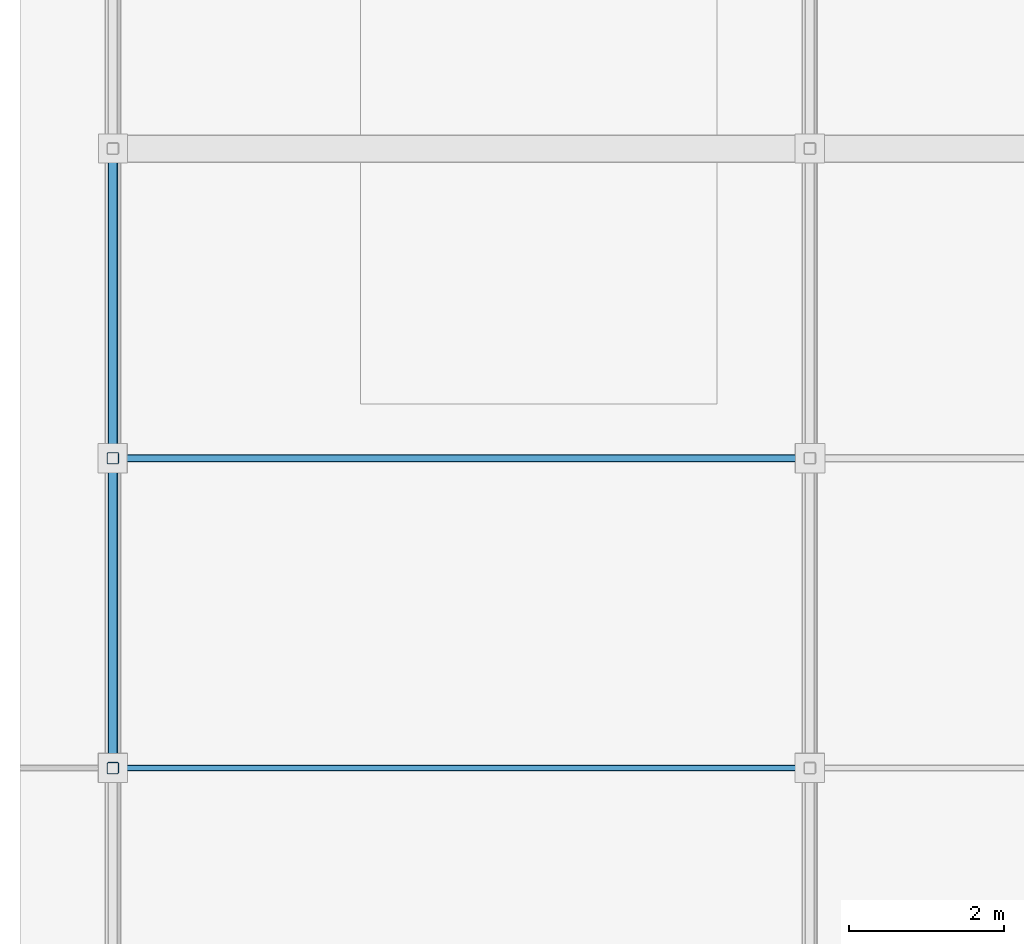
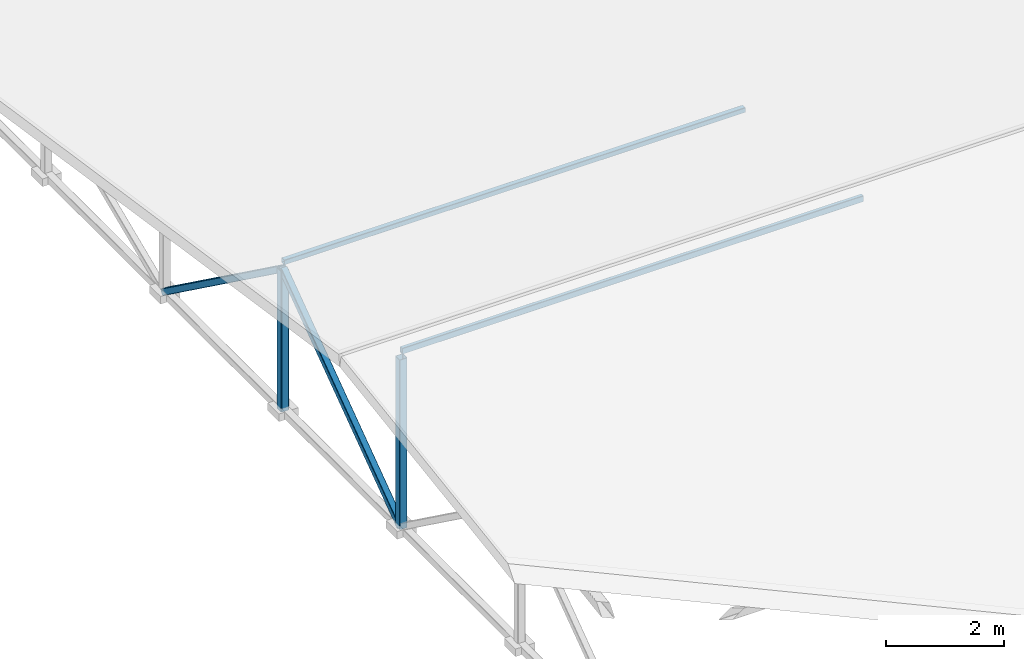
# One storey, part 11 of 118: 6 members.
"""IFC4 building model written with IfcOpenShell, lengths in metres."""

from ifc_helpers import new_model, si_unit, direction, frame, origin, origin_2d, place, context, subcontext, project, spatial, hollow_rectangle, extrude, material, material_profile, profile_set, type_object, element, save


model = new_model("IFC4")

# Units and contexts
model_context = context("Model", 3, precision=1e-05, world=origin(), true_north=direction((0.0, 1.0)))
body_context = subcontext(model_context, "Body", "Model", "MODEL_VIEW")
ifc_project = project(units=[si_unit("LENGTHUNIT", "METRE"), si_unit("AREAUNIT", "SQUARE_METRE"), si_unit("VOLUMEUNIT", "CUBIC_METRE"), si_unit("PLANEANGLEUNIT", "RADIAN"), si_unit("MASSUNIT", "GRAM", prefix="KILO"), si_unit("THERMODYNAMICTEMPERATUREUNIT", "KELVIN"), si_unit("POWERUNIT", "WATT")], contexts=[model_context])

# Site, building, storey
site_placement = place(None, origin())
site = spatial("IfcSite", under=ifc_project, at=site_placement, CompositionType="ELEMENT")
building_placement = place(site_placement, origin())
building = spatial("IfcBuilding", under=site, at=building_placement, Name="Zelmaris Science Centre", CompositionType="ELEMENT")
storey_placement = place(building_placement, frame((0.0, 0.0, 15.60009765625)))
storey = spatial("IfcBuildingStorey", under=building, at=storey_placement, Name="L03", CompositionType="ELEMENT", Elevation=15.60009765625)

# Members
ifc_material = material(Name="Steel ASTM A500 Grade C", Category="steel")
ifc_material_profile_1 = material_profile(ifc_material, hollow_rectangle(XDim=0.076171875, YDim=0.126953125, WallThickness=0.005859375, InnerFilletRadius=0.005859375, OuterFilletRadius=0.01171875, at=origin_2d()), Name="HSS127X76X6")
ifc_profile_set_1 = profile_set([ifc_material_profile_1], Name="Steel ASTM A500 Grade C")
member_type_1 = type_object("IfcMemberType", Name="Roof Purlin PR-06 HSS127X76X6", PredefinedType="PURLIN", material=ifc_profile_set_1)
member_1_placement = place(storey_placement, frame((9.0, 24.0, 3.52880859375), z_axis=(1.0, 0.0, 0.0), x_axis=(0.0, 1.0, 0.0)))
element("IfcMember", 1, at=member_1_placement, inside=storey, type_object=member_type_1, Name="RF-V3 Roof purlin 5", PredefinedType="PURLIN", context=body_context, shape_type="SweptSolid", body=[
    extrude(hollow_rectangle(XDim=0.076171875, YDim=0.126953125, WallThickness=0.005859375, InnerFilletRadius=0.005859375, OuterFilletRadius=0.01171875, at=origin_2d()), origin(), (0.0, 0.0, 1.0), 9.0),
])
ifc_material_profile_2 = material_profile(ifc_material, hollow_rectangle(XDim=0.1015625, YDim=0.1015625, WallThickness=0.005859375, InnerFilletRadius=0.005859375, OuterFilletRadius=0.01171875, at=origin_2d()), Name="HSS102X102X6")
ifc_profile_set_2 = profile_set([ifc_material_profile_2], Name="Steel ASTM A500 Grade C")
member_type_2 = type_object("IfcMemberType", Name="Roof Purlin PR-07 HSS102X102X6", PredefinedType="PURLIN", material=ifc_profile_set_2)
member_2_placement = place(storey_placement, frame((9.0, 28.0, 2.94140625), z_axis=(1.0, 0.0, 0.0), x_axis=(0.0, 1.0, 0.0)))
element("IfcMember", 2, at=member_2_placement, inside=storey, type_object=member_type_2, Name="RF-V3 Roof purlin 6", PredefinedType="PURLIN", context=body_context, shape_type="SweptSolid", body=[
    extrude(hollow_rectangle(XDim=0.1015625, YDim=0.1015625, WallThickness=0.005859375, InnerFilletRadius=0.005859375, OuterFilletRadius=0.01171875, at=origin_2d()), origin(), (0.0, 0.0, 1.0), 9.0),
])
ifc_material_profile_3 = material_profile(ifc_material, hollow_rectangle(XDim=0.15234375, YDim=0.15234375, WallThickness=0.0087890625, InnerFilletRadius=0.0087890625, OuterFilletRadius=0.017822265625, at=origin_2d()), Name="HSS152X152X10")
ifc_profile_set_3 = profile_set([ifc_material_profile_3], Name="Steel ASTM A500 Grade C")
member_type_3 = type_object("IfcMemberType", Name="Structural Brace BR-03 HSS152X152X10", PredefinedType="BRACE", material=ifc_profile_set_3)
member_3_placement = place(storey_placement, frame((9.0, 24.0, -0.1044921875), z_axis=(0.0, 0.0, 1.0), x_axis=(1.0, 0.0, 0.0)))
element("IfcMember", 3, at=member_3_placement, inside=storey, type_object=member_type_3, Name="RF-V3 Roof truss 1 vertical web 4", PredefinedType="BRACE", context=body_context, shape_type="SweptSolid", body=[
    extrude(hollow_rectangle(XDim=0.15234375, YDim=0.15234375, WallThickness=0.0087890625, InnerFilletRadius=0.0087890625, OuterFilletRadius=0.017822265625, at=origin_2d()), origin(), (0.0, 0.0, 1.0), 3.5),
])
member_4_placement = place(storey_placement, frame((9.0, 28.0, -0.1044921875), z_axis=(0.0, 0.0, 1.0), x_axis=(1.0, 0.0, 0.0)))
element("IfcMember", 4, at=member_4_placement, inside=storey, type_object=member_type_3, Name="RF-V3 Roof truss 1 vertical web 5", PredefinedType="BRACE", context=body_context, shape_type="SweptSolid", body=[
    extrude(hollow_rectangle(XDim=0.15234375, YDim=0.15234375, WallThickness=0.0087890625, InnerFilletRadius=0.0087890625, OuterFilletRadius=0.017822265625, at=origin_2d()), origin(), (0.0, 0.0, 1.0), 2.900146484375),
])
ifc_material_profile_4 = material_profile(ifc_material, hollow_rectangle(XDim=0.126953125, YDim=0.126953125, WallThickness=0.00732421875, InnerFilletRadius=0.00732421875, OuterFilletRadius=0.014892578125, at=origin_2d()), Name="HSS127X127X8")
ifc_profile_set_4 = profile_set([ifc_material_profile_4], Name="Steel ASTM A500 Grade C")
member_type_4 = type_object("IfcMemberType", Name="Structural Brace BR-04 HSS127X127X8", PredefinedType="BRACE", material=ifc_profile_set_4)
for number, where, z_axis, x_axis, name in (
    (5, (9.0, 24.0, -0.1044921875), (0.0, 0.80959635384, 0.586987004838), (-1.0, 0.0, 0.0), "RF-V3 Roof truss 1 web diagonal 5"),
    (6, (9.0, 28.0, 2.795654296875), (0.0, 0.80959635384, -0.586987004838), (-1.0, 0.0, 0.0), "RF-V3 Roof truss 1 web diagonal 6"),
):
    element("IfcMember", number, at=place(storey_placement, frame(where, z_axis=z_axis, x_axis=x_axis)), inside=storey, type_object=member_type_4, Name=name, PredefinedType="BRACE", context=body_context, shape_type="SweptSolid", body=[
        extrude(hollow_rectangle(XDim=0.126953125, YDim=0.126953125, WallThickness=0.00732421875, InnerFilletRadius=0.00732421875, OuterFilletRadius=0.014892578125, at=origin_2d()), origin(), (0.0, 0.0, 1.0), 4.940673828125),
    ])

save(model, "model.ifc")
